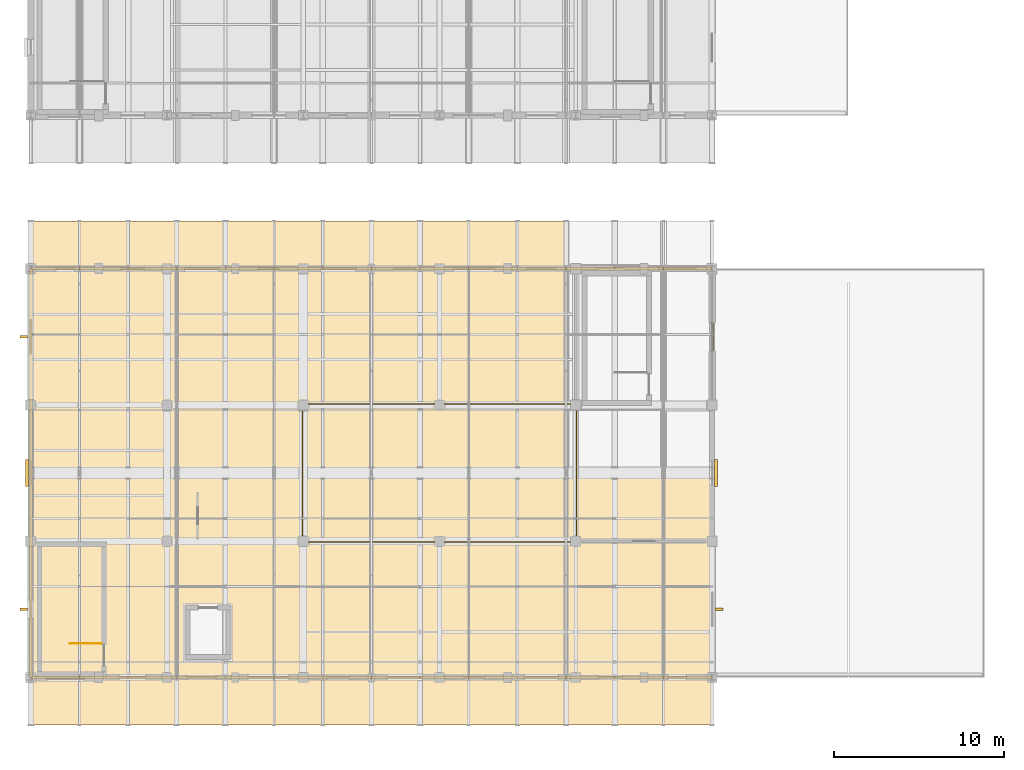
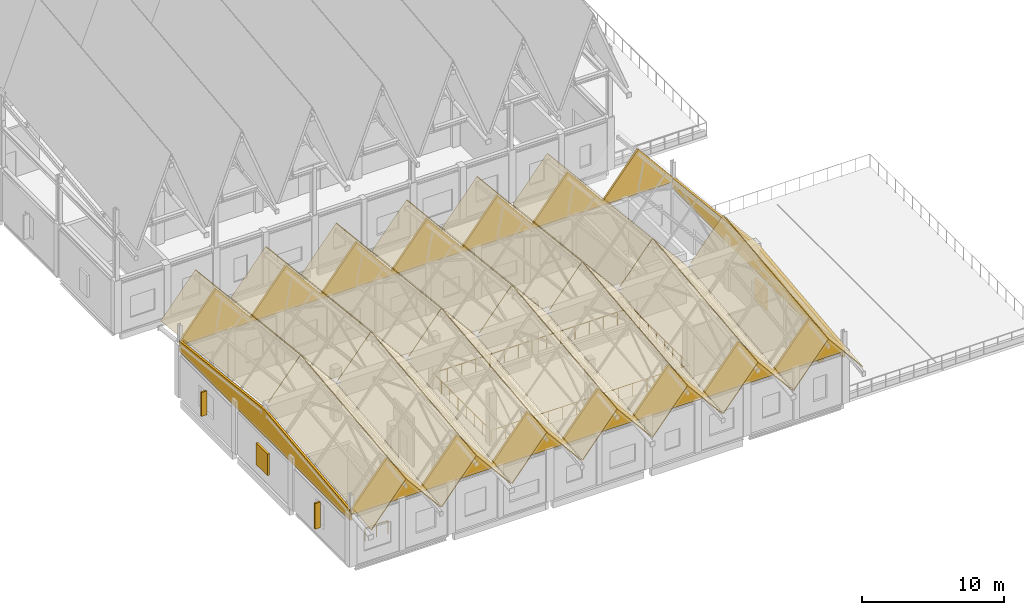
# One storey, part 65 of 77: 29 coverings, 5 shading devices, 2 railings.
"""IFC4 building model written with IfcOpenShell, lengths in metres."""

from ifc_helpers import new_model, si_unit, direction, frame, origin, origin_2d, place, context, subcontext, project, spatial, polyline, rectangle, circle, outline, extrude, material, layer, layer_set, type_object, element, save


model = new_model("IFC4")

# Units and contexts
model_context = context("Model", 3, precision=1e-05, world=origin(), true_north=direction((0.0, 1.0)))
body_context = subcontext(model_context, "Body", "Model", "MODEL_VIEW")
ifc_project = project(units=[si_unit("LENGTHUNIT", "METRE"), si_unit("AREAUNIT", "SQUARE_METRE"), si_unit("VOLUMEUNIT", "CUBIC_METRE"), si_unit("PLANEANGLEUNIT", "RADIAN"), si_unit("MASSUNIT", "GRAM", prefix="KILO")], contexts=[model_context])

# Site, building, storey
site_placement = place(None, origin())
site = spatial("IfcSite", under=ifc_project, at=site_placement, CompositionType="ELEMENT")
building_placement = place(site_placement, origin())
building = spatial("IfcBuilding", under=site, at=building_placement, Name="Luwemba Playhouse", CompositionType="ELEMENT")
storey_placement = place(building_placement, frame((0.0, 0.0, 9.300048828125)))
storey = spatial("IfcBuildingStorey", under=building, at=storey_placement, Name="L02", CompositionType="ELEMENT", Elevation=9.300048828125)

# Coverings
ifc_material_1 = material(Name="Glazed terracotta clay roof tile", Category="masonry")
ifc_layer_1 = layer(ifc_material_1, 0.06494140625)
ifc_layer_set_1 = layer_set([ifc_layer_1], Name="Glazed terracotta clay roof tile")
covering_type_1 = type_object("IfcCoveringType", Name="COV-ROOF-TILE", PredefinedType="ROOFING", material=ifc_layer_set_1)
covering_1_placement = place(storey_placement, frame((4.02490234375, 0.199951171875, 4.64208984375), z_axis=(-0.768580708665, -0.07131531422, 0.635765538722), x_axis=(0.637388443494, 0.0, 0.770542647814)))
element("IfcCovering", 1, at=covering_1_placement, inside=storey, type_object=covering_type_1, Name="RF-V5W glazed clay-tile roofing 1S", PredefinedType="ROOFING", context=body_context, shape_type="SweptSolid", body=[
    extrude(outline(polyline([(0.0, 0.0), (4.404110138649753, 0.0), (5.683331331309841, 14.83782858876418), (1.279221192660088, 14.837828588764179), (0.0, 0.0)])), origin(), (0.0, 0.0, -1.0), 0.06494140625),
])
for number, where, z_axis, x_axis, name in (
    (2, (4.02490234375, 15.0, 6.30224609375), (-0.768580708665, 0.07131531422, 0.635765538722), (0.637388443494, 0.0, 0.770542647814), "RF-V5W glazed clay-tile roofing 1N"),
    (3, (6.882080078125, 0.199951171875, 8.03564453125), (0.768580708665, -0.07131531422, 0.635765538722), (0.637388443494, 0.0, -0.770542647814), "RF-V5W glazed clay-tile roofing 2S"),
):
    element("IfcCovering", number, at=place(storey_placement, frame(where, z_axis=z_axis, x_axis=x_axis)), inside=storey, type_object=covering_type_1, Name=name, PredefinedType="ROOFING", context=body_context, shape_type="SweptSolid", body=[
        extrude(outline(polyline([(0.0, 0.0), (4.404110138649753, 0.0), (3.1248889459896647, 14.837828588764179), (-1.279221192660088, 14.837828588764179), (0.0, 0.0)])), origin(), (0.0, 0.0, -1.0), 0.06494140625),
    ])
for number, where, z_axis, x_axis, name in (
    (4, (6.882080078125, 15.0, 9.69580078125), (0.768580708665, 0.07131531422, 0.635765538722), (0.637388443494, 0.0, -0.770542647814), "RF-V5W glazed clay-tile roofing 2N"),
    (5, (9.7392578125, 0.199951171875, 4.64208984375), (-0.768580708665, -0.07131531422, 0.635765538722), (0.637388443494, 0.0, 0.770542647814), "RF-V5W glazed clay-tile roofing 3S"),
):
    element("IfcCovering", number, at=place(storey_placement, frame(where, z_axis=z_axis, x_axis=x_axis)), inside=storey, type_object=covering_type_1, Name=name, PredefinedType="ROOFING", context=body_context, shape_type="SweptSolid", body=[
        extrude(outline(polyline([(0.0, 0.0), (4.404110138649753, 0.0), (5.683331331309841, 14.83782858876418), (1.279221192660088, 14.837828588764179), (0.0, 0.0)])), origin(), (0.0, 0.0, -1.0), 0.06494140625),
    ])
for number, where, z_axis, x_axis, name in (
    (6, (9.7392578125, 15.0, 6.30224609375), (-0.768580708665, 0.07131531422, 0.635765538722), (0.637388443494, 0.0, 0.770542647814), "RF-V5W glazed clay-tile roofing 3N"),
    (7, (12.596435546875, 0.199951171875, 8.03564453125), (0.768580708665, -0.07131531422, 0.635765538722), (0.637388443494, 0.0, -0.770542647814), "RF-V5W glazed clay-tile roofing 4S"),
):
    element("IfcCovering", number, at=place(storey_placement, frame(where, z_axis=z_axis, x_axis=x_axis)), inside=storey, type_object=covering_type_1, Name=name, PredefinedType="ROOFING", context=body_context, shape_type="SweptSolid", body=[
        extrude(outline(polyline([(0.0, 0.0), (4.404110138649753, 0.0), (3.1248889459896647, 14.837828588764179), (-1.279221192660088, 14.837828588764179), (0.0, 0.0)])), origin(), (0.0, 0.0, -1.0), 0.06494140625),
    ])
for number, where, z_axis, x_axis, name in (
    (8, (12.596435546875, 15.0, 9.69580078125), (0.768580708665, 0.07131531422, 0.635765538722), (0.637388443494, 0.0, -0.770542647814), "RF-V5W glazed clay-tile roofing 4N"),
    (9, (15.45361328125, 0.199951171875, 4.64208984375), (-0.768580708665, -0.07131531422, 0.635765538722), (0.637388443494, 0.0, 0.770542647814), "RF-V5W glazed clay-tile roofing 5S"),
):
    element("IfcCovering", number, at=place(storey_placement, frame(where, z_axis=z_axis, x_axis=x_axis)), inside=storey, type_object=covering_type_1, Name=name, PredefinedType="ROOFING", context=body_context, shape_type="SweptSolid", body=[
        extrude(outline(polyline([(0.0, 0.0), (4.404110138649753, 0.0), (5.683331331309841, 14.83782858876418), (1.279221192660088, 14.837828588764179), (0.0, 0.0)])), origin(), (0.0, 0.0, -1.0), 0.06494140625),
    ])
covering_2_placement = place(storey_placement, frame((15.45361328125, 15.0, 6.30224609375), z_axis=(-0.768580708665, 0.07131531422, 0.635765538722), x_axis=(0.637388443494, 0.0, 0.770542647814)))
element("IfcCovering", 10, at=covering_2_placement, inside=storey, type_object=covering_type_1, Name="RF-V5W glazed clay-tile roofing 5N", PredefinedType="ROOFING", context=body_context, shape_type="SweptSolid", body=[
    extrude(outline(polyline([(0.0, 0.0), (4.404110138649753, 0.0), (3.1248889459896647, 14.837828588764179), (-1.279221192660088, 14.837828588764179), (0.0, 0.0)])), origin(), (0.0, 0.0, -1.0), 0.06494140625),
])
covering_3_placement = place(storey_placement, frame((18.310791015625, 0.199951171875, 8.03564453125), z_axis=(0.768592311085, -0.07130858188, 0.63575226739), x_axis=(0.637374899939, 1.256555e-06, -0.770553850763)))
element("IfcCovering", 11, at=covering_3_placement, inside=storey, type_object=covering_type_1, Name="RF-V5W glazed clay-tile roofing 6S", PredefinedType="ROOFING", context=body_context, shape_type="SweptSolid", body=[
    extrude(outline(polyline([(0.0, 0.0), (4.404110137965986, 2.7755575615628914e-17), (3.1250770672384798, 14.83781749192571), (-1.2792211942262282, 14.837828588426202), (0.0, 0.0)])), origin(), (0.0, 0.0, -1.0), 0.06494140625),
])
covering_4_placement = place(storey_placement, frame((18.310791015625, 15.0, 9.69580078125), z_axis=(0.768592311085, 0.07130858188, 0.63575226739), x_axis=(0.637374761502, 1.256502e-06, -0.770553965274)))
element("IfcCovering", 12, at=covering_4_placement, inside=storey, type_object=covering_type_1, Name="RF-V5W glazed clay-tile roofing 6N", PredefinedType="ROOFING", context=body_context, shape_type="SweptSolid", body=[
    extrude(outline(polyline([(0.0, 0.0), (4.4042982614786865, 0.0), (5.683368715648789, 14.83781426939225), (1.2792585776967809, 14.837825365418773), (0.0, 0.0)])), origin(), (0.0, 0.0, -1.0), 0.06494140625),
])
covering_5_placement = place(storey_placement, frame((21.16796875, 0.199951171875, 4.64208984375), z_axis=(-0.768580708665, -0.07131531422, 0.635765538722), x_axis=(0.637388443494, 0.0, 0.770542647814)))
element("IfcCovering", 13, at=covering_5_placement, inside=storey, type_object=covering_type_1, Name="RF-V5W glazed clay-tile roofing 7S", PredefinedType="ROOFING", context=body_context, shape_type="SweptSolid", body=[
    extrude(outline(polyline([(0.0, 0.0), (4.404110138649753, 0.0), (5.683331331309841, 14.83782858876418), (1.279221192660088, 14.837828588764179), (0.0, 0.0)])), origin(), (0.0, 0.0, -1.0), 0.06494140625),
])
for number, where, z_axis, x_axis, name in (
    (14, (21.16796875, 15.0, 6.30224609375), (-0.768580708665, 0.07131531422, 0.635765538722), (0.637388443494, 0.0, 0.770542647814), "RF-V5W glazed clay-tile roofing 7N"),
    (15, (24.02490234375, 0.199951171875, 8.03564453125), (0.768580708665, -0.07131531422, 0.635765538722), (0.637388443494, 0.0, -0.770542647814), "RF-V5W glazed clay-tile roofing 8S"),
):
    element("IfcCovering", number, at=place(storey_placement, frame(where, z_axis=z_axis, x_axis=x_axis)), inside=storey, type_object=covering_type_1, Name=name, PredefinedType="ROOFING", context=body_context, shape_type="SweptSolid", body=[
        extrude(outline(polyline([(0.0, 0.0), (4.404110138649753, 0.0), (3.1248889459896647, 14.837828588764179), (-1.279221192660088, 14.837828588764179), (0.0, 0.0)])), origin(), (0.0, 0.0, -1.0), 0.06494140625),
    ])
covering_6_placement = place(storey_placement, frame((24.02490234375, 15.0, 9.69580078125), z_axis=(0.768580708665, 0.07131531422, 0.635765538722), x_axis=(0.637388443494, 0.0, -0.770542647814)))
element("IfcCovering", 16, at=covering_6_placement, inside=storey, type_object=covering_type_1, Name="RF-V5W glazed clay-tile roofing 8N", PredefinedType="ROOFING", context=body_context, shape_type="SweptSolid", body=[
    extrude(outline(polyline([(0.0, 0.0), (4.404110138649753, 0.0), (5.683331331309841, 14.83782858876418), (1.279221192660088, 14.837828588764179), (0.0, 0.0)])), origin(), (0.0, 0.0, -1.0), 0.06494140625),
])
covering_7_placement = place(storey_placement, frame((26.882080078125, 0.199951171875, 4.64208984375), z_axis=(-0.768592311085, -0.07130858188, 0.63575226739), x_axis=(0.637374899939, -1.256555e-06, 0.770553850763)))
element("IfcCovering", 17, at=covering_7_placement, inside=storey, type_object=covering_type_1, Name="RF-V5W glazed clay-tile roofing 9S", PredefinedType="ROOFING", context=body_context, shape_type="SweptSolid", body=[
    extrude(outline(polyline([(0.0, 0.0), (4.404110137965986, -2.7755575615628914e-17), (5.683331332192215, 14.837828588426202), (1.2790330707275068, 14.83781749192571), (0.0, 0.0)])), origin(), (0.0, 0.0, -1.0), 0.06494140625),
])
covering_8_placement = place(storey_placement, frame((26.882080078125, 15.0, 6.302001953125), z_axis=(-0.768592311085, 0.07130858188, 0.63575226739), x_axis=(0.637374761502, -1.256502e-06, 0.770553965274)))
element("IfcCovering", 18, at=covering_8_placement, inside=storey, type_object=covering_type_1, Name="RF-V5W glazed clay-tile roofing 9N", PredefinedType="ROOFING", context=body_context, shape_type="SweptSolid", body=[
    extrude(outline(polyline([(0.0, 0.0), (4.4042982614786865, 0.0), (3.125039683781906, 14.837825365418773), (-1.2790704541701026, 14.83781426939225), (0.0, 0.0)])), origin(), (0.0, 0.0, -1.0), 0.06494140625),
])
covering_9_placement = place(storey_placement, frame((29.7392578125, 0.199951171875, 8.03564453125), z_axis=(0.768580708665, -0.07131531422, 0.635765538722), x_axis=(0.637388443494, 0.0, -0.770542647814)))
element("IfcCovering", 19, at=covering_9_placement, inside=storey, type_object=covering_type_1, Name="RF-V5W glazed clay-tile roofing 10S", PredefinedType="ROOFING", context=body_context, shape_type="SweptSolid", body=[
    extrude(outline(polyline([(0.0, 0.0), (4.404110138649753, 0.0), (3.1248889459896647, 14.837828588764179), (-1.279221192660088, 14.837828588764179), (0.0, 0.0)])), origin(), (0.0, 0.0, -1.0), 0.06494140625),
])
for number, where, z_axis, x_axis, name in (
    (20, (29.7392578125, 15.0, 9.69580078125), (0.768580708665, 0.07131531422, 0.635765538722), (0.637388443494, 0.0, -0.770542647814), "RF-V5W glazed clay-tile roofing 10N"),
    (21, (32.596435546875, 0.199951171875, 4.64208984375), (-0.768580708665, -0.07131531422, 0.635765538722), (0.637388443494, 0.0, 0.770542647814), "RF-V5W glazed clay-tile roofing 11S"),
):
    element("IfcCovering", number, at=place(storey_placement, frame(where, z_axis=z_axis, x_axis=x_axis)), inside=storey, type_object=covering_type_1, Name=name, PredefinedType="ROOFING", context=body_context, shape_type="SweptSolid", body=[
        extrude(outline(polyline([(0.0, 0.0), (4.404110138649753, 0.0), (5.683331331309841, 14.83782858876418), (1.279221192660088, 14.837828588764179), (0.0, 0.0)])), origin(), (0.0, 0.0, -1.0), 0.06494140625),
    ])
for number, where, z_axis, x_axis, name in (
    (22, (32.596435546875, 15.0, 6.30224609375), (-0.768580708665, 0.07131531422, 0.635765538722), (0.637388443494, 0.0, 0.770542647814), "RF-V5W glazed clay-tile roofing 11N"),
    (23, (35.45361328125, 0.199951171875, 8.03564453125), (0.768580708665, -0.07131531422, 0.635765538722), (0.637388443494, 0.0, -0.770542647814), "RF-V5W glazed clay-tile roofing 12S"),
):
    element("IfcCovering", number, at=place(storey_placement, frame(where, z_axis=z_axis, x_axis=x_axis)), inside=storey, type_object=covering_type_1, Name=name, PredefinedType="ROOFING", context=body_context, shape_type="SweptSolid", body=[
        extrude(outline(polyline([(0.0, 0.0), (4.404110138649753, 0.0), (3.1248889459896647, 14.837828588764179), (-1.279221192660088, 14.837828588764179), (0.0, 0.0)])), origin(), (0.0, 0.0, -1.0), 0.06494140625),
    ])
covering_10_placement = place(storey_placement, frame((38.310791015625, 0.199951171875, 4.64208984375), z_axis=(-0.768580708665, -0.07131531422, 0.635765538722), x_axis=(0.637388443494, 0.0, 0.770542647814)))
element("IfcCovering", 24, at=covering_10_placement, inside=storey, type_object=covering_type_1, Name="RF-V5W glazed clay-tile roofing 13S", PredefinedType="ROOFING", context=body_context, shape_type="SweptSolid", body=[
    extrude(outline(polyline([(0.0, 0.0), (4.404110138649753, 0.0), (5.683331331309841, 14.83782858876418), (1.279221192660088, 14.837828588764179), (0.0, 0.0)])), origin(), (0.0, 0.0, -1.0), 0.06494140625),
])
covering_11_placement = place(storey_placement, frame((41.16796875, 0.199951171875, 8.03564453125), z_axis=(0.768580708665, -0.07131531422, 0.635765538722), x_axis=(0.637388443494, 0.0, -0.770542647814)))
element("IfcCovering", 25, at=covering_11_placement, inside=storey, type_object=covering_type_1, Name="RF-V5W glazed clay-tile roofing 14S", PredefinedType="ROOFING", context=body_context, shape_type="SweptSolid", body=[
    extrude(outline(polyline([(0.0, 0.0), (4.404110138649753, 0.0), (3.1248889459896647, 14.837828588764179), (-1.279221192660088, 14.837828588764179), (0.0, 0.0)])), origin(), (0.0, 0.0, -1.0), 0.06494140625),
])
ifc_material_2 = material(Name="Structural timber GL24h gable wall infill", Category="wood")
ifc_layer_2 = layer(ifc_material_2, 0.179931640625)
ifc_layer_set_2 = layer_set([ifc_layer_2], Name="Structural timber GL24h gable wall infill")
covering_type_2 = type_object("IfcCoveringType", Name="COV-TIM-TYMP", PredefinedType="CLADDING", material=ifc_layer_set_2)
covering_12_placement = place(storey_placement, frame((44.0, 3.0, 4.320068359375), z_axis=(0.0, 0.0, 1.0), x_axis=(-1.0, 0.0, 0.0)))
element("IfcCovering", 26, at=covering_12_placement, inside=storey, type_object=covering_type_2, Name="RF-V5W south pleated timber fold wall 020", PredefinedType="CLADDING", context=body_context, shape_type="SweptSolid", body=[
    extrude(outline(polyline([(0.0, 0.0), (40.0, 0.0), (40.0, 0.35498046875), (37.142822265625, 3.80908203125), (34.28564453125, 0.35498046875), (31.4287109375, 3.808837890625), (28.5712890625, 0.35498046875), (25.71435546875, 3.808837890625), (22.857177734375, 0.35498046875), (20.0, 3.808837890625), (17.142822265625, 0.354736328125), (14.28564453125, 3.808837890625), (11.4287109375, 0.35498046875), (8.5712890625, 3.808837890625), (5.71435546875, 0.35498046875), (2.857177734375, 3.808837890625), (0.0, 0.35498046875), (0.0, 0.0)])), frame((0.0, 0.08984375, 0.0), z_axis=(0.0, -1.0, 0.0), x_axis=(1.0, 0.0, 0.0)), (0.0, 0.0, 1.0), 0.179931640625),
])
covering_13_placement = place(storey_placement, frame((4.0, 27.0, 4.320068359375), z_axis=(0.0, 0.0, 1.0), x_axis=(1.0, 0.0, 0.0)))
element("IfcCovering", 27, at=covering_13_placement, inside=storey, type_object=covering_type_2, Name="RF-V5W north pleated timber fold wall 021", PredefinedType="CLADDING", context=body_context, shape_type="SweptSolid", body=[
    extrude(outline(polyline([(0.0, 0.0), (40.0, 0.0), (40.0, 0.35498046875), (37.142822265625, 3.808837890625), (34.28564453125, 0.35498046875), (31.4287109375, 3.808837890625), (28.5712890625, 0.35498046875), (25.71435546875, 3.808837890625), (22.857177734375, 0.354736328125), (20.0, 3.808837890625), (17.142822265625, 0.35498046875), (14.28564453125, 3.808837890625), (11.4287109375, 0.35498046875), (8.5712890625, 3.808837890625), (5.71435546875, 0.35498046875), (2.857177734375, 3.80908203125), (0.0, 0.35498046875), (0.0, 0.0)])), frame((0.0, 0.08984375, 0.0), z_axis=(0.0, -1.0, 0.0), x_axis=(1.0, 0.0, 0.0)), (0.0, 0.0, 1.0), 0.179931640625),
])
for number, where, z_axis, x_axis, name in (
    (28, (4.0, 3.0, 3.780029296875), (0.0, 0.0, 1.0), (0.0, 1.0, 0.0), "RF-V5W west timber gable infill 022"),
    (29, (44.0, 27.0, 3.780029296875), (0.0, 0.0, 1.0), (0.0, -1.0, 0.0), "RF-V5W east timber gable infill 023"),
):
    element("IfcCovering", number, at=place(storey_placement, frame(where, z_axis=z_axis, x_axis=x_axis)), inside=storey, type_object=covering_type_2, Name=name, PredefinedType="CLADDING", context=body_context, shape_type="SweptSolid", body=[
        extrude(outline(polyline([(0.0, 0.0), (24.0, 0.0), (24.0, 0.89501953125), (12.0, 2.240966796875), (0.0, 0.89501953125), (0.0, 0.0)])), frame((0.0, 0.08984375, 0.0), z_axis=(0.0, -1.0, 0.0), x_axis=(1.0, 0.0, 0.0)), (0.0, 0.0, 1.0), 0.179931640625),
    ])

# Railings
ifc_material_3 = material(Name="Painted wrought-iron gallery balustrade", Category="steel")
railing_type = type_object("IfcRailingType", Name="RLG-BAL-INT", PredefinedType="BALUSTRADE", material=ifc_material_3)
railing_1_placement = place(storey_placement, frame((8.14990234375, 4.989990234375, 0.0)))
element("IfcRailing", 30, at=railing_1_placement, inside=storey, type_object=railing_type, Name="L02 ST-04 top well guard 1", PredefinedType="BALUSTRADE", context=body_context, shape_type="SweptSolid", body=[
    extrude(circle(Radius=0.02392578125, at=origin_2d()), frame((0.0, 0.0, 1.09619140625), z_axis=(-1.0, 0.0, 0.0), x_axis=(0.0, -1.0, 0.0)), (0.0, 0.0, 1.0), 1.849853515625),
    extrude(circle(Radius=0.02099609375, at=origin_2d()), origin(), (0.0, 0.0, 1.0), 1.072021484375),
    extrude(circle(Radius=0.02099609375, at=origin_2d()), frame((-0.9248046875, 0.0, 0.0)), (0.0, 0.0, 1.0), 1.072021484375),
    extrude(circle(Radius=0.02099609375, at=origin_2d()), frame((-1.849853515625, 0.0, 0.0)), (0.0, 0.0, 1.0), 1.072021484375),
])
railing_2_placement = place(storey_placement, frame((20.02001953125, 10.949951171875, 0.0)))
element("IfcRailing", 31, at=railing_2_placement, inside=storey, type_object=railing_type, Name="L02 V5W gallery void balustrade 009", PredefinedType="BALUSTRADE", context=body_context, shape_type="SweptSolid", body=[
    extrude(circle(Radius=0.02392578125, at=origin_2d()), frame((0.0, 0.0, 1.09619140625), z_axis=(1.0, 0.0, 0.0), x_axis=(0.0, 1.0, 0.0)), (0.0, 0.0, 1.0), 16.030029296875),
    extrude(circle(Radius=0.02392578125, at=origin_2d()), frame((16.030029296875, 0.0, 1.09619140625), z_axis=(0.0, 1.0, 0.0), x_axis=(-1.0, 0.0, 0.0)), (0.0, 0.0, 1.0), 8.10009765625),
    extrude(circle(Radius=0.02392578125, at=origin_2d()), frame((16.030029296875, 8.10009765625, 1.09619140625), z_axis=(-1.0, 0.0, 0.0), x_axis=(0.0, -1.0, 0.0)), (0.0, 0.0, 1.0), 16.10009765625),
    extrude(circle(Radius=0.02392578125, at=origin_2d()), frame((-0.070068359375, 8.10009765625, 1.09619140625), z_axis=(0.0, -1.0, 0.0), x_axis=(1.0, 0.0, 0.0)), (0.0, 0.0, 1.0), 8.10009765625),
    extrude(circle(Radius=0.02099609375, at=origin_2d()), origin(), (0.0, 0.0, 1.0), 1.072021484375),
    extrude(circle(Radius=0.02099609375, at=origin_2d()), frame((1.14501953125, 0.0, 0.0)), (0.0, 0.0, 1.0), 1.072021484375),
    extrude(circle(Radius=0.02099609375, at=origin_2d()), frame((2.2900390625, 0.0, 0.0)), (0.0, 0.0, 1.0), 1.072021484375),
    extrude(circle(Radius=0.02099609375, at=origin_2d()), frame((3.43505859375, 0.0, 0.0)), (0.0, 0.0, 1.0), 1.072021484375),
    extrude(circle(Radius=0.02099609375, at=origin_2d()), frame((4.580078125, 0.0, 0.0)), (0.0, 0.0, 1.0), 1.072021484375),
    extrude(circle(Radius=0.02099609375, at=origin_2d()), frame((5.72509765625, 0.0, 0.0)), (0.0, 0.0, 1.0), 1.072021484375),
    extrude(circle(Radius=0.02099609375, at=origin_2d()), frame((6.8701171875, 0.0, 0.0)), (0.0, 0.0, 1.0), 1.072021484375),
    extrude(circle(Radius=0.02099609375, at=origin_2d()), frame((8.01513671875, 0.0, 0.0)), (0.0, 0.0, 1.0), 1.072021484375),
    extrude(circle(Radius=0.02099609375, at=origin_2d()), frame((9.159912109375, 0.0, 0.0)), (0.0, 0.0, 1.0), 1.072021484375),
    extrude(circle(Radius=0.02099609375, at=origin_2d()), frame((10.304931640625, 0.0, 0.0)), (0.0, 0.0, 1.0), 1.072021484375),
    extrude(circle(Radius=0.02099609375, at=origin_2d()), frame((11.449951171875, 0.0, 0.0)), (0.0, 0.0, 1.0), 1.072021484375),
    extrude(circle(Radius=0.02099609375, at=origin_2d()), frame((12.594970703125, 0.0, 0.0)), (0.0, 0.0, 1.0), 1.072021484375),
    extrude(circle(Radius=0.02099609375, at=origin_2d()), frame((13.739990234375, 0.0, 0.0)), (0.0, 0.0, 1.0), 1.072021484375),
    extrude(circle(Radius=0.02099609375, at=origin_2d()), frame((14.885009765625, 0.0, 0.0)), (0.0, 0.0, 1.0), 1.072021484375),
    extrude(circle(Radius=0.02099609375, at=origin_2d()), frame((16.030029296875, 0.0, 0.0)), (0.0, 0.0, 1.0), 1.072021484375),
    extrude(circle(Radius=0.02099609375, at=origin_2d()), frame((16.030029296875, 1.1572265625, 0.0)), (0.0, 0.0, 1.0), 1.072021484375),
    extrude(circle(Radius=0.02099609375, at=origin_2d()), frame((16.030029296875, 2.314208984375, 0.0)), (0.0, 0.0, 1.0), 1.072021484375),
    extrude(circle(Radius=0.02099609375, at=origin_2d()), frame((16.030029296875, 3.471435546875, 0.0)), (0.0, 0.0, 1.0), 1.072021484375),
    extrude(circle(Radius=0.02099609375, at=origin_2d()), frame((16.030029296875, 4.628662109375, 0.0)), (0.0, 0.0, 1.0), 1.072021484375),
    extrude(circle(Radius=0.02099609375, at=origin_2d()), frame((16.030029296875, 5.785888671875, 0.0)), (0.0, 0.0, 1.0), 1.072021484375),
    extrude(circle(Radius=0.02099609375, at=origin_2d()), frame((16.030029296875, 6.94287109375, 0.0)), (0.0, 0.0, 1.0), 1.072021484375),
    extrude(circle(Radius=0.02099609375, at=origin_2d()), frame((16.030029296875, 8.10009765625, 0.0)), (0.0, 0.0, 1.0), 1.072021484375),
    extrude(circle(Radius=0.02099609375, at=origin_2d()), frame((14.880126953125, 8.10009765625, 0.0)), (0.0, 0.0, 1.0), 1.072021484375),
    extrude(circle(Radius=0.02099609375, at=origin_2d()), frame((13.72998046875, 8.10009765625, 0.0)), (0.0, 0.0, 1.0), 1.072021484375),
    extrude(circle(Radius=0.02099609375, at=origin_2d()), frame((12.580078125, 8.10009765625, 0.0)), (0.0, 0.0, 1.0), 1.072021484375),
    extrude(circle(Radius=0.02099609375, at=origin_2d()), frame((11.429931640625, 8.10009765625, 0.0)), (0.0, 0.0, 1.0), 1.072021484375),
    extrude(circle(Radius=0.02099609375, at=origin_2d()), frame((10.280029296875, 8.10009765625, 0.0)), (0.0, 0.0, 1.0), 1.072021484375),
    extrude(circle(Radius=0.02099609375, at=origin_2d()), frame((9.1298828125, 8.10009765625, 0.0)), (0.0, 0.0, 1.0), 1.072021484375),
    extrude(circle(Radius=0.02099609375, at=origin_2d()), frame((7.97998046875, 8.10009765625, 0.0)), (0.0, 0.0, 1.0), 1.072021484375),
    extrude(circle(Radius=0.02099609375, at=origin_2d()), frame((6.830078125, 8.10009765625, 0.0)), (0.0, 0.0, 1.0), 1.072021484375),
    extrude(circle(Radius=0.02099609375, at=origin_2d()), frame((5.679931640625, 8.10009765625, 0.0)), (0.0, 0.0, 1.0), 1.072021484375),
    extrude(circle(Radius=0.02099609375, at=origin_2d()), frame((4.530029296875, 8.10009765625, 0.0)), (0.0, 0.0, 1.0), 1.072021484375),
    extrude(circle(Radius=0.02099609375, at=origin_2d()), frame((3.3798828125, 8.10009765625, 0.0)), (0.0, 0.0, 1.0), 1.072021484375),
    extrude(circle(Radius=0.02099609375, at=origin_2d()), frame((2.22998046875, 8.10009765625, 0.0)), (0.0, 0.0, 1.0), 1.072021484375),
    extrude(circle(Radius=0.02099609375, at=origin_2d()), frame((1.079833984375, 8.10009765625, 0.0)), (0.0, 0.0, 1.0), 1.072021484375),
    extrude(circle(Radius=0.02099609375, at=origin_2d()), frame((-0.070068359375, 8.10009765625, 0.0)), (0.0, 0.0, 1.0), 1.072021484375),
    extrude(circle(Radius=0.02099609375, at=origin_2d()), frame((-0.070068359375, 6.94287109375, 0.0)), (0.0, 0.0, 1.0), 1.072021484375),
    extrude(circle(Radius=0.02099609375, at=origin_2d()), frame((-0.070068359375, 5.785888671875, 0.0)), (0.0, 0.0, 1.0), 1.072021484375),
    extrude(circle(Radius=0.02099609375, at=origin_2d()), frame((-0.070068359375, 4.628662109375, 0.0)), (0.0, 0.0, 1.0), 1.072021484375),
    extrude(circle(Radius=0.02099609375, at=origin_2d()), frame((-0.070068359375, 3.471435546875, 0.0)), (0.0, 0.0, 1.0), 1.072021484375),
    extrude(circle(Radius=0.02099609375, at=origin_2d()), frame((-0.070068359375, 2.314208984375, 0.0)), (0.0, 0.0, 1.0), 1.072021484375),
    extrude(circle(Radius=0.02099609375, at=origin_2d()), frame((-0.070068359375, 1.1572265625, 0.0)), (0.0, 0.0, 1.0), 1.072021484375),
    extrude(circle(Radius=0.02099609375, at=origin_2d()), frame((-0.070068359375, 0.0, 0.0)), (0.0, 0.0, 1.0), 1.072021484375),
])

# Shading devices
ifc_material_4 = material(Name="Extruded terracotta brise-soleil fin on steel bracket", Category="masonry")
shading_device_type_1 = type_object("IfcShadingDeviceType", Name="SHD-BRISE", PredefinedType="USERDEFINED", material=ifc_material_4)
shading_device_placement = place(storey_placement, frame((3.590087890625, 7.0, 0.85009765625), z_axis=(0.0, 0.0, 1.0), x_axis=(0.0, 1.0, 0.0)))
element("IfcShadingDevice", 32, at=shading_device_placement, inside=storey, type_object=shading_device_type_1, Name="L02 terracotta brise-soleil fin 061", ObjectType="TERRACOTTA BRISE SOLEIL", PredefinedType="USERDEFINED", context=body_context, shape_type="SweptSolid", body=[
    extrude(rectangle(XDim=0.139892578125, YDim=0.449951171875, at=origin_2d()), origin(), (0.0, 0.0, 1.0), 2.199951171875),
])
for number, where, z_axis, x_axis, name in (
    (33, (3.590087890625, 23.0, 0.82470703125), (0.0, 0.0, 1.0), (0.0, 1.0, 0.0), "L02 terracotta brise-soleil fin 063"),
    (34, (44.409912109375, 7.0, 0.82470703125), (0.0, 0.0, 1.0), (0.0, -1.0, 0.0), "L02 terracotta brise-soleil fin 065"),
):
    element("IfcShadingDevice", number, at=place(storey_placement, frame(where, z_axis=z_axis, x_axis=x_axis)), inside=storey, type_object=shading_device_type_1, Name=name, ObjectType="TERRACOTTA BRISE SOLEIL", PredefinedType="USERDEFINED", context=body_context, shape_type="SweptSolid", body=[
        extrude(rectangle(XDim=0.139892578125, YDim=0.449951171875, at=origin_2d()), origin(), (0.0, 0.0, 1.0), 2.050048828125),
    ])
ifc_material_5 = material(Name="Kiln-fired terracotta gelosia louvre screen", Category="masonry")
shading_device_type_2 = type_object("IfcShadingDeviceType", Name="SHD-GELOSIA", PredefinedType="JALOUSIE", material=ifc_material_5)
for number, where, z_axis, x_axis, name in (
    (35, (3.77490234375, 15.0, 0.9248046875), (0.0, 0.0, 1.0), (0.0, 1.0, 0.0), "L02 fired-clay gelosia screen 062"),
    (36, (44.22509765625, 15.0, 0.9248046875), (0.0, 0.0, 1.0), (0.0, -1.0, 0.0), "L02 fired-clay gelosia screen 064"),
):
    element("IfcShadingDevice", number, at=place(storey_placement, frame(where, z_axis=z_axis, x_axis=x_axis)), inside=storey, type_object=shading_device_type_2, Name=name, PredefinedType="JALOUSIE", context=body_context, shape_type="SweptSolid", body=[
        extrude(rectangle(XDim=1.60009765625, YDim=0.179931640625, at=origin_2d()), origin(), (0.0, 0.0, 1.0), 1.85009765625),
    ])

save(model, "model.ifc")
